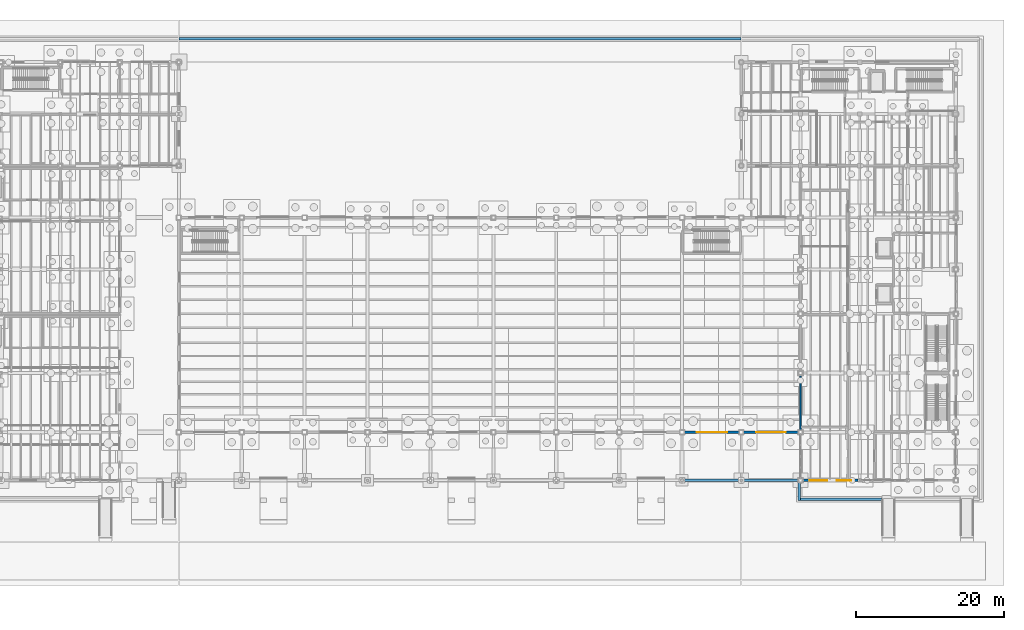
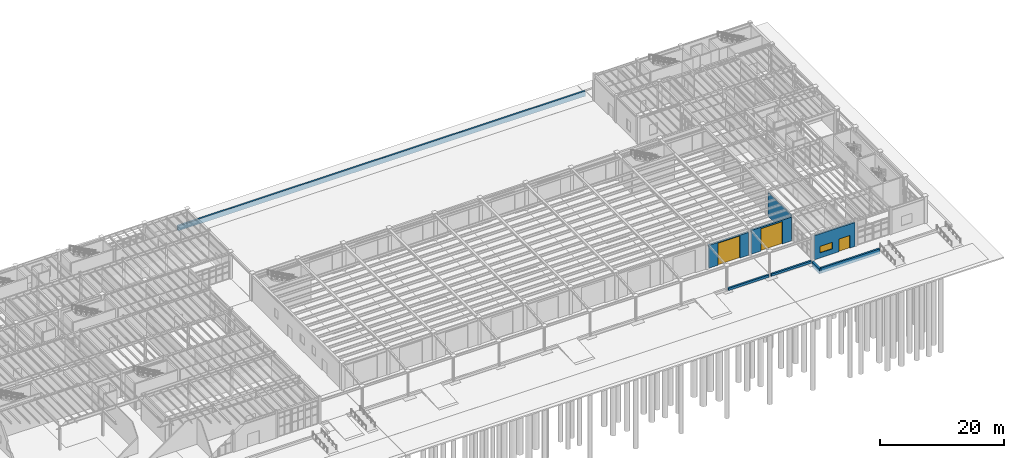
# One storey, part 67 of 86: 9 walls, 3 doors, 1 window, 4 openings.
"""IFC4 building model written with IfcOpenShell, lengths in metres."""

from ifc_helpers import new_model, si_unit, direction, frame, frame_2d, origin, place, context, subcontext, project, spatial, rectangle, extrude, material, layer, layer_set, type_object, element, fill, save


model = new_model("IFC4")

# Units and contexts
model_context = context("Model", 3, precision=1e-05, world=origin(), true_north=direction((0.0, 1.0)))
body_context = subcontext(model_context, "Body", "Model", "MODEL_VIEW")
ifc_project = project(units=[si_unit("LENGTHUNIT", "METRE"), si_unit("AREAUNIT", "SQUARE_METRE"), si_unit("VOLUMEUNIT", "CUBIC_METRE"), si_unit("PLANEANGLEUNIT", "RADIAN"), si_unit("MASSUNIT", "GRAM", prefix="KILO"), si_unit("THERMODYNAMICTEMPERATUREUNIT", "KELVIN"), si_unit("POWERUNIT", "WATT")], contexts=[model_context])

# Site, building, storey
site_placement = place(None, origin())
site = spatial("IfcSite", under=ifc_project, at=site_placement, CompositionType="ELEMENT")
building_placement = place(site_placement, origin())
building = spatial("IfcBuilding", under=site, at=building_placement, Name="Zhenchuan Central Fire Station", CompositionType="ELEMENT")
storey_placement = place(building_placement, frame((0.0, 0.0, 0.449951171875)))
storey = spatial("IfcBuildingStorey", under=building, at=storey_placement, Name="L01", CompositionType="ELEMENT", Elevation=0.449951171875)

# Wall, openings, door, window
ifc_material_1 = material(Name="Sintered clay brick masonry MU15", Category="masonry")
ifc_layer_1 = layer(ifc_material_1, 0.300048828125, Name="Sintered clay brick masonry MU15", Category="masonry")
ifc_layer_set_1 = layer_set([ifc_layer_1], Name="Sintered clay brick masonry MU15")
wall_type_1 = type_object("IfcWallType", Name="EW-BRK300", PredefinedType="SOLIDWALL", material=ifc_layer_set_1)
wall_1_placement = place(storey_placement, frame((140.27490234375, 0.0, 0.0), z_axis=(0.0, 0.0, 1.0), x_axis=(1.0, 0.0, 0.0)))
wall_1 = element("IfcWall", 1, at=wall_1_placement, inside=storey, type_object=wall_type_1, Name="EW-L01-V2S-ENT", PredefinedType="SOLIDWALL", context=body_context, shape_type="SweptSolid", body=[
    extrude(rectangle(XDim=7.525146484375, YDim=0.300048828125, at=frame_2d((3.7626953125, 0.0))), origin(), (0.0, 0.0, 1.0), 4.754150390625),
])
opening_1_placement = place(wall_1_placement, frame((4.60009765625, 0.0, 0.0)))
opening_1 = element("IfcOpeningElement", 2, at=opening_1_placement, cuts=wall_1, Name="Opening MN-003", PredefinedType="OPENING", context=body_context, shape_type="SweptSolid", body=[
    extrude(rectangle(XDim=2.0, YDim=2.5, at=frame_2d((1.0, 1.25))), frame((0.0, 0.159912109375, 0.0), z_axis=(0.0, -1.0, 0.0), x_axis=(1.0, 0.0, 0.0)), (0.0, 0.0, 1.0), 0.320068359375),
])
opening_2_placement = place(wall_1_placement, frame((1.0, 0.0, 1.0)))
opening_2 = element("IfcOpeningElement", 3, at=opening_2_placement, cuts=wall_1, Name="Opening W-46", PredefinedType="OPENING", context=body_context, shape_type="SweptSolid", body=[
    extrude(rectangle(XDim=2.35009765625, YDim=1.300048828125, at=frame_2d((1.175048828125, 0.64990234375))), frame((0.0, 0.159912109375, 0.0), z_axis=(0.0, -1.0, 0.0), x_axis=(1.0, 0.0, 0.0)), (0.0, 0.0, 1.0), 0.320068359375),
])
ifc_material_2 = material(Name="Thermally broken aluminium and safety glass", Category="aluminium")
door_type_1 = type_object("IfcDoorType", Name="ED-200x250", OperationType="NOTDEFINED", PredefinedType="DOOR", material=ifc_material_2)
door_1_placement = place(opening_1_placement, frame((2.0, 0.0, 0.0), z_axis=(0.0, 0.0, 1.0), x_axis=(-1.0, 0.0, 0.0)))
door_1 = element("IfcDoor", 4, at=door_1_placement, inside=storey, type_object=door_type_1, Name="Headquarters Main Boulevard Entrance", OperationType="SINGLE_SWING_LEFT", OverallHeight=2.5, OverallWidth=2.0, PredefinedType="DOOR", context=body_context, shape_type="SweptSolid", body=[
    extrude(rectangle(XDim=2.0, YDim=2.5, at=frame_2d((1.0, 1.25))), frame((0.0, 0.02490234375, 0.0), z_axis=(0.0, -1.0, 0.0), x_axis=(1.0, 0.0, 0.0)), (0.0, 0.0, 1.0), 0.050048828125),
])
fill(opening_1, door_1)
ifc_material_3 = material(Name="Laminated low-E double glazing in aluminium frame", Category="aluminium")
window_type = type_object("IfcWindowType", Name="WN-46", PartitioningType="SINGLE_PANEL", PredefinedType="WINDOW", material=ifc_material_3)
window_placement = place(opening_2_placement, origin())
window = element("IfcWindow", 5, at=window_placement, inside=storey, type_object=window_type, Name="Exterior Window 0084", OverallHeight=1.300048828125, OverallWidth=2.35009765625, PartitioningType="SINGLE_PANEL", PredefinedType="WINDOW", context=body_context, shape_type="SweptSolid", body=[
    extrude(rectangle(XDim=2.35009765625, YDim=1.300048828125, at=frame_2d((1.175048828125, 0.64990234375))), frame((0.0, 0.030029296875, 0.0), z_axis=(0.0, -1.0, 0.0), x_axis=(1.0, 0.0, 0.0)), (0.0, 0.0, 1.0), 0.06005859375),
])
fill(opening_2, window)

# Wall, opening, door
ifc_layer_2 = layer(ifc_material_1, 0.35009765625, Name="Sintered clay brick masonry MU15", Category="masonry")
ifc_layer_set_2 = layer_set([ifc_layer_2], Name="Sintered clay brick masonry MU15")
wall_type_2 = type_object("IfcWallType", Name="EW-BRK350", PredefinedType="SOLIDWALL", material=ifc_layer_set_2)
wall_2_placement = place(storey_placement, frame((124.324951171875, 6.5, 0.0), z_axis=(0.0, 0.0, 1.0), x_axis=(1.0, 0.0, 0.0)))
wall_2 = element("IfcWall", 6, at=wall_2_placement, inside=storey, type_object=wall_type_2, Name="Appliance Bay 09 South Sintered Brick Portal Wall", PredefinedType="SOLIDWALL", context=body_context, shape_type="SweptSolid", body=[
    extrude(rectangle(XDim=7.400146484375, YDim=0.35009765625, at=frame_2d((3.7001953125, 0.0))), origin(), (0.0, 0.0, 1.0), 4.494140625),
])
opening_3_placement = place(wall_2_placement, frame((1.64990234375, 0.0, 0.0)))
opening_3 = element("IfcOpeningElement", 7, at=opening_3_placement, cuts=wall_2, Name="Opening BG-016", PredefinedType="OPENING", context=body_context, shape_type="SweptSolid", body=[
    extrude(rectangle(XDim=4.10009765625, YDim=4.343994140625, at=frame_2d((2.050048828125, 2.171875))), frame((0.0, 0.18505859375, 0.0), z_axis=(0.0, -1.0, 0.0), x_axis=(1.0, 0.0, 0.0)), (0.0, 0.0, 1.0), 0.3701171875),
])
ifc_material_4 = material(Name="Anodised aluminium and laminated glazing", Category="aluminium")
door_type_2 = type_object("IfcDoorType", Name="DG-BAY-410x445", OperationType="NOTDEFINED", PredefinedType="GATE", material=ifc_material_4)
door_2_placement = place(opening_3_placement, frame((4.10009765625, 0.0, 0.0), z_axis=(0.0, 0.0, 1.0), x_axis=(-1.0, 0.0, 0.0)))
door_2 = element("IfcDoor", 8, at=door_2_placement, inside=storey, type_object=door_type_2, Name="Appliance South Glazed Bi-Fold Gate 09", OperationType="FOLDING_TO_RIGHT", OverallHeight=4.343994140625, OverallWidth=4.10009765625, PredefinedType="GATE", context=body_context, shape_type="SweptSolid", body=[
    extrude(rectangle(XDim=4.10009765625, YDim=4.343994140625, at=frame_2d((2.050048828125, 2.171875))), frame((0.0, 0.02490234375, 0.0), z_axis=(0.0, -1.0, 0.0), x_axis=(1.0, 0.0, 0.0)), (0.0, 0.0, 1.0), 0.050048828125),
])
fill(opening_3, door_2)

wall_3_placement = place(storey_placement, frame((132.27490234375, 6.5, 0.0), z_axis=(0.0, 0.0, 1.0), x_axis=(1.0, 0.0, 0.0)))
wall_3 = element("IfcWall", 9, at=wall_3_placement, inside=storey, type_object=wall_type_2, Name="Appliance Bay 10 South Sintered Brick Portal Wall", PredefinedType="SOLIDWALL", context=body_context, shape_type="SweptSolid", body=[
    extrude(rectangle(XDim=7.4501953125, YDim=0.35009765625, at=frame_2d((3.72509765625, 0.0))), origin(), (0.0, 0.0, 1.0), 4.694091796875),
])
opening_4_placement = place(wall_3_placement, frame((1.72509765625, 0.0, 0.0)))
opening_4 = element("IfcOpeningElement", 10, at=opening_4_placement, cuts=wall_3, Name="Opening BG-017", PredefinedType="OPENING", context=body_context, shape_type="SweptSolid", body=[
    extrude(rectangle(XDim=4.0, YDim=4.39990234375, at=frame_2d((2.0, 2.199951171875))), frame((0.0, 0.18505859375, 0.0), z_axis=(0.0, -1.0, 0.0), x_axis=(1.0, 0.0, 0.0)), (0.0, 0.0, 1.0), 0.3701171875),
])
door_type_3 = type_object("IfcDoorType", Name="DG-BAY-400x440", OperationType="NOTDEFINED", PredefinedType="GATE", material=ifc_material_4)
door_3_placement = place(opening_4_placement, frame((4.0, 0.0, 0.0), z_axis=(0.0, 0.0, 1.0), x_axis=(-1.0, 0.0, 0.0)))
door_3 = element("IfcDoor", 11, at=door_3_placement, inside=storey, type_object=door_type_3, Name="Appliance South Glazed Bi-Fold Gate 10", OperationType="FOLDING_TO_LEFT", OverallHeight=4.39990234375, OverallWidth=4.0, PredefinedType="GATE", context=body_context, shape_type="SweptSolid", body=[
    extrude(rectangle(XDim=4.0, YDim=4.39990234375, at=frame_2d((2.0, 2.199951171875))), frame((0.0, 0.02490234375, 0.0), z_axis=(0.0, -1.0, 0.0), x_axis=(1.0, 0.0, 0.0)), (0.0, 0.0, 1.0), 0.050048828125),
])
fill(opening_4, door_3)

# Walls
ifc_material_5 = material(Name="Concrete C35/45", Category="concrete")
ifc_layer_3 = layer(ifc_material_5, 0.320068359375, Name="Concrete C35/45", Category="concrete")
ifc_layer_set_3 = layer_set([ifc_layer_3], Name="Concrete C35/45")
wall_type_3 = type_object("IfcWallType", Name="EW-PLN320", PredefinedType="SOLIDWALL", material=ifc_layer_set_3)
wall_4_placement = place(storey_placement, frame((56.02490234375, 59.662109375, -1.0), z_axis=(0.0, 0.0, 1.0), x_axis=(1.0, 0.0, 0.0)))
element("IfcWall", 12, at=wall_4_placement, inside=storey, type_object=wall_type_3, Name="Plinth Perimeter Retaining Stem Wall NORTH-C", PredefinedType="SOLIDWALL", context=body_context, shape_type="SweptSolid", body=[
    extrude(rectangle(XDim=75.9501953125, YDim=0.320068359375, at=frame_2d((37.97509765625, 0.0))), origin(), (0.0, 0.0, 1.0), 1.0),
])
wall_5_placement = place(storey_placement, frame((139.837890625, -2.721923828125, -1.0), z_axis=(0.0, 0.0, 1.0), x_axis=(0.0, 1.0, 0.0)))
element("IfcWall", 13, at=wall_5_placement, inside=storey, type_object=wall_type_3, Name="Plinth Perimeter Retaining Stem Wall SE-RET", PredefinedType="SOLIDWALL", context=body_context, shape_type="SweptSolid", body=[
    extrude(rectangle(XDim=2.40185546875, YDim=0.320068359375, at=frame_2d((1.200927734375, 0.0))), origin(), (0.0, 0.0, 1.0), 1.0),
])
wall_6_placement = place(storey_placement, frame((140.0, -2.56201171875, -1.0), z_axis=(0.0, 0.0, 1.0), x_axis=(1.0, 0.0, 0.0)))
element("IfcWall", 14, at=wall_6_placement, inside=storey, type_object=wall_type_3, Name="Plinth Perimeter Retaining Stem Wall SE-1", PredefinedType="SOLIDWALL", context=body_context, shape_type="SweptSolid", body=[
    extrude(rectangle(XDim=10.99609375, YDim=0.320068359375, at=frame_2d((5.498046875, 0.0))), origin(), (0.0, 0.0, 1.0), 1.0),
])
wall_7_placement = place(storey_placement, frame((124.20703125, 0.0, -0.449951171875), z_axis=(0.0, 0.0, 1.0), x_axis=(1.0, 0.0, 0.0)))
element("IfcWall", 15, at=wall_7_placement, inside=storey, type_object=wall_type_3, Name="Plinth Perimeter Retaining Stem Wall FC-14", PredefinedType="SOLIDWALL", context=body_context, shape_type="SweptSolid", body=[
    extrude(rectangle(XDim=7.5859375, YDim=0.320068359375, at=frame_2d((3.79296875, 0.0))), origin(), (0.0, 0.0, 1.0), 0.449951171875),
])
wall_8_placement = place(storey_placement, frame((132.2099609375, 0.0, -0.449951171875), z_axis=(0.0, 0.0, 1.0), x_axis=(1.0, 0.0, 0.0)))
element("IfcWall", 16, at=wall_8_placement, inside=storey, type_object=wall_type_3, Name="Plinth Perimeter Retaining Stem Wall FC-15", PredefinedType="SOLIDWALL", context=body_context, shape_type="SweptSolid", body=[
    extrude(rectangle(XDim=7.510009765625, YDim=0.320068359375, at=frame_2d((3.7548828125, 0.0))), origin(), (0.0, 0.0, 1.0), 0.449951171875),
])
ifc_material_6 = material(Name="Autoclaved aerated concrete blockwork", Category="masonry")
ifc_layer_4 = layer(ifc_material_6, 0.199951171875, Name="Autoclaved aerated concrete blockwork", Category="masonry")
ifc_layer_set_4 = layer_set([ifc_layer_4], Name="Autoclaved aerated concrete blockwork")
wall_type_4 = type_object("IfcWallType", Name="IW-FIR200", PredefinedType="PARTITIONING", material=ifc_layer_set_4)
wall_9_placement = place(storey_placement, frame((140.0, 6.777099609375, 0.0), z_axis=(0.0, 0.0, 1.0), x_axis=(0.0, 1.0, 0.0)))
element("IfcWall", 17, at=wall_9_placement, inside=storey, type_object=wall_type_4, Name="L01 Hall-HQ Fire Compartment Wall Y=6.5..14.5", PredefinedType="PARTITIONING", context=body_context, shape_type="SweptSolid", body=[
    extrude(rectangle(XDim=7.44580078125, YDim=0.199951171875, at=frame_2d((3.722900390625, 0.0))), origin(), (0.0, 0.0, 1.0), 4.694091796875),
])

save(model, "model.ifc")
